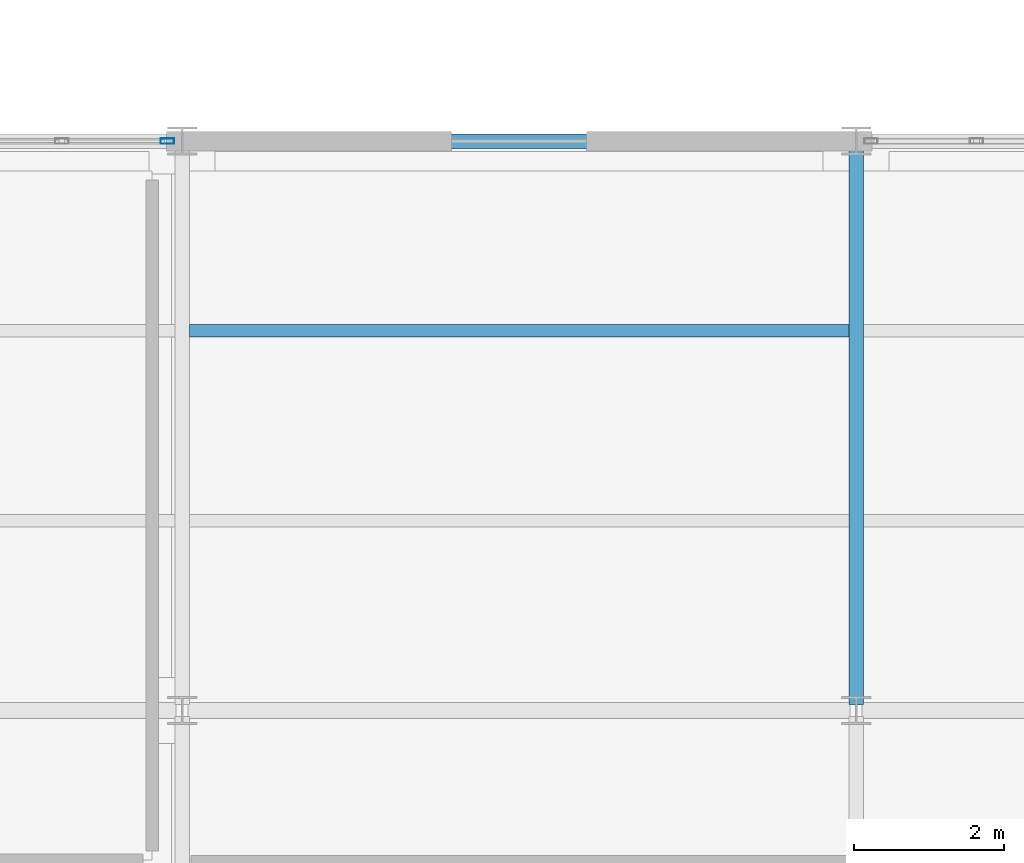
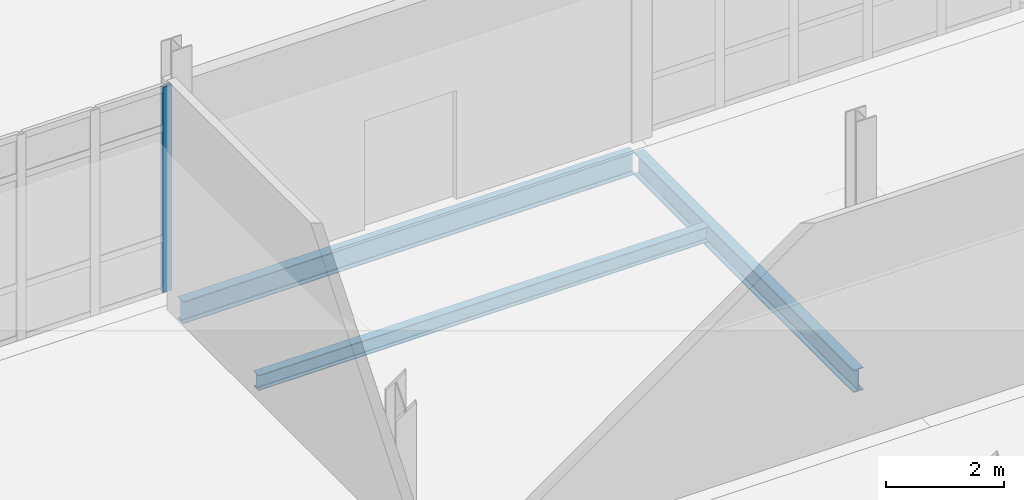
# One storey, part 57 of 161: 3 beams, 1 member, 1 element without a shape of its own.
"""IFC4 building model written with IfcOpenShell, lengths in metres."""

from ifc_helpers import new_model, si_unit, direction, frame, origin, origin_2d, place, context, subcontext, project, spatial, hollow_rectangle, i_section, extrude, material, material_profile, profile_set, type_object, element, aggregate, save


model = new_model("IFC4")

# Units and contexts
model_context = context("Model", 3, precision=1e-05, world=origin(), true_north=direction((0.0, 1.0)))
body_context = subcontext(model_context, "Body", "Model", "MODEL_VIEW")
ifc_project = project(units=[si_unit("LENGTHUNIT", "METRE"), si_unit("AREAUNIT", "SQUARE_METRE"), si_unit("VOLUMEUNIT", "CUBIC_METRE"), si_unit("PLANEANGLEUNIT", "RADIAN"), si_unit("MASSUNIT", "GRAM", prefix="KILO")], contexts=[model_context])

# Site, building, storey
site_placement = place(None, origin())
site = spatial("IfcSite", under=ifc_project, at=site_placement, CompositionType="ELEMENT")
building_placement = place(site_placement, origin())
building = spatial("IfcBuilding", under=site, at=building_placement, Name="Caisbarro Railhouse Central Library", CompositionType="ELEMENT")
storey_placement = place(building_placement, origin())
storey = spatial("IfcBuildingStorey", under=building, at=storey_placement, Name="L00", CompositionType="ELEMENT", Elevation=0.0)

# Beams
ifc_material_1 = material(Name="Steel ASTM A572 Grade 50", Category="steel")
ifc_material_profile_1 = material_profile(ifc_material_1, i_section(OverallWidth=0.194091796875, OverallDepth=0.468994140625, WebThickness=0.0126953125, FlangeThickness=0.0205078125, FilletRadius=0.01806640625, at=origin_2d()), Name="W460X106.0")
ifc_profile_set_1 = profile_set([ifc_material_profile_1], Name="Steel ASTM A572 Grade 50")
beam_type_1 = type_object("IfcBeamType", Name="BM-G07", PredefinedType="BEAM", material=ifc_profile_set_1)
beam_1_placement = place(storey_placement, frame((90.0, 22.8798828125, -0.514404296875), z_axis=(0.0, 1.0, 0.0), x_axis=(-1.0, 0.0, 0.0)))
element("IfcBeam", 1, at=beam_1_placement, inside=storey, type_object=beam_type_1, Name="G07 beam L00 #196", PredefinedType="BEAM", context=body_context, shape_type="SweptSolid", body=[
    extrude(i_section(OverallWidth=0.194091796875, OverallDepth=0.468994140625, WebThickness=0.0126953125, FlangeThickness=0.0205078125, FilletRadius=0.01806640625, at=origin_2d()), origin(), (0.0, 0.0, 1.0), 7.440185546875),
])
ifc_material_profile_2 = material_profile(ifc_material_1, i_section(OverallWidth=0.1669921875, OverallDepth=0.31689453125, WebThickness=0.007568359375, FlangeThickness=0.01318359375, FilletRadius=0.011962890625, at=origin_2d()), Name="W310X52.0")
ifc_profile_set_2 = profile_set([ifc_material_profile_2], Name="Steel ASTM A572 Grade 50")
beam_type_2 = type_object("IfcBeamType", Name="BM-J02", PredefinedType="JOIST", material=ifc_profile_set_2)
beam_2_placement = place(storey_placement, frame((81.096923828125, 27.86669921875, -0.4384765625), z_axis=(1.0, 0.0, 0.0), x_axis=(0.0, 1.0, 0.0)))
element("IfcBeam", 2, at=beam_2_placement, inside=storey, type_object=beam_type_2, Name="J02 beam L00 #232", PredefinedType="JOIST", context=body_context, shape_type="SweptSolid", body=[
    extrude(i_section(OverallWidth=0.1669921875, OverallDepth=0.31689453125, WebThickness=0.007568359375, FlangeThickness=0.01318359375, FilletRadius=0.011962890625, at=origin_2d()), origin(), (0.0, 0.0, 1.0), 8.80615234375),
])
ifc_material_profile_3 = material_profile(ifc_material_1, i_section(OverallWidth=0.18994140625, OverallDepth=0.45703125, WebThickness=0.009033203125, FlangeThickness=0.014404296875, FilletRadius=0.01806640625, at=origin_2d()), Name="W460X74.0")
ifc_profile_set_3 = profile_set([ifc_material_profile_3], Name="Steel ASTM A572 Grade 50")
beam_type_3 = type_object("IfcBeamType", Name="BM-SP01", PredefinedType="SPANDREL", material=ifc_profile_set_3)
beam_3_placement = place(storey_placement, frame((81.080078125, 30.39990234375, -0.508544921875), z_axis=(1.0, 0.0, 0.0), x_axis=(0.0, 1.0, 0.0)))
element("IfcBeam", 3, at=beam_3_placement, inside=storey, type_object=beam_type_3, Name="SP01 beam L00 #177", PredefinedType="SPANDREL", context=body_context, shape_type="SweptSolid", body=[
    extrude(i_section(OverallWidth=0.18994140625, OverallDepth=0.45703125, WebThickness=0.009033203125, FlangeThickness=0.014404296875, FilletRadius=0.01806640625, at=origin_2d()), origin(), (0.0, 0.0, 1.0), 8.83984375),
])

# Curtain wall, member
ifc_material_2 = material(Name="Anodised architectural aluminium", Category="aluminium")
curtain_wall_type = type_object("IfcCurtainWallType", Name="CW-CW02", PredefinedType="NOTDEFINED", material=ifc_material_2)
curtain_wall_placement = place(storey_placement, origin())
curtain_wall = element("IfcCurtainWall", 4, at=curtain_wall_placement, inside=storey, type_object=curtain_wall_type, Name="CW02 curtain wall L00 #51", PredefinedType="NOTDEFINED")
ifc_material_profile_4 = material_profile(ifc_material_2, hollow_rectangle(XDim=0.074951171875, YDim=0.179931640625, WallThickness=0.00439453125, at=origin_2d()), Name="ALU-MUL-75X180")
ifc_profile_set_4 = profile_set([ifc_material_profile_4], Name="Anodised architectural aluminium")
member_type = type_object("IfcMemberType", Name="CWM-M01", PredefinedType="MULLION", material=ifc_profile_set_4)
member_placement = place(storey_placement, frame((80.802490234375, 30.39990234375, 0.0), z_axis=(0.0, 0.0, 1.0), x_axis=(0.0, 1.0, 0.0)))
member = element("IfcMember", 5, at=member_placement, type_object=member_type, Name="CW02 mullion 7", PredefinedType="MULLION", context=body_context, shape_type="SweptSolid", body=[
    extrude(hollow_rectangle(XDim=0.074951171875, YDim=0.179931640625, WallThickness=0.00439453125, at=origin_2d()), origin(), (0.0, 0.0, 1.0), 4.25),
])
aggregate(curtain_wall, [member])

save(model, "model.ifc")
